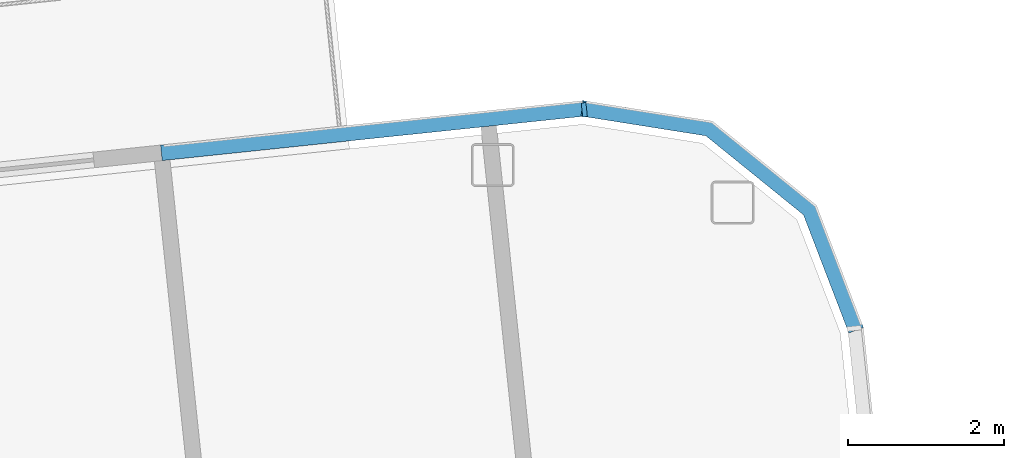
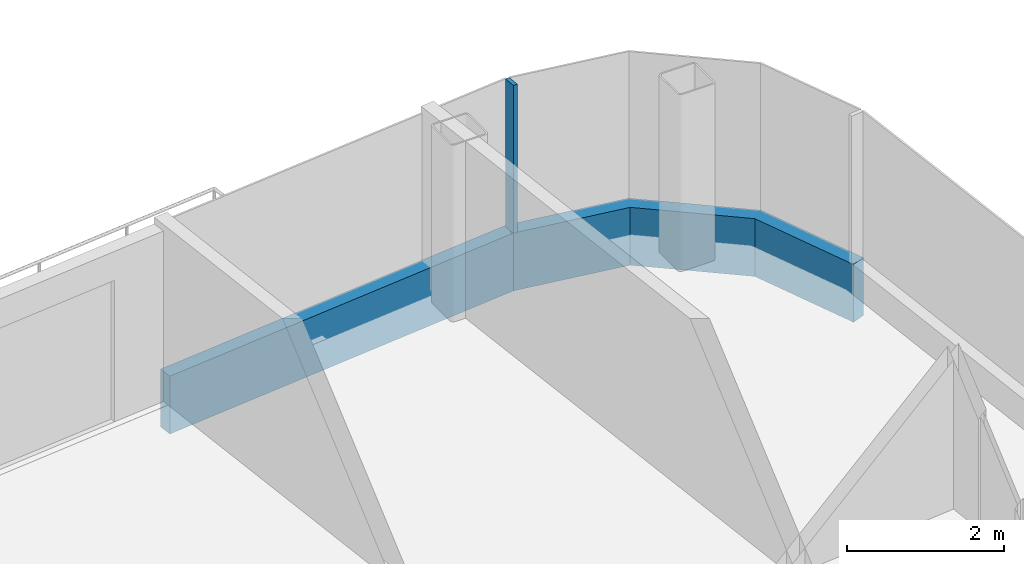
# One storey, part 10 of 29: 3 members, 2 elements without a shape of their own.
"""IFC4 building model written with IfcOpenShell, lengths in metres."""

from ifc_helpers import new_model, si_unit, direction, frame, origin, origin_2d, place, context, subcontext, project, spatial, polyline, rectangle, outline, extrude, material, layer, layer_set, material_profile, profile_set, type_object, element, aggregate, save


model = new_model("IFC4")

# Units and contexts
model_context = context("Model", 3, precision=1e-05, world=origin(), true_north=direction((0.0, 1.0)))
body_context = subcontext(model_context, "Body", "Model", "MODEL_VIEW")
ifc_project = project(units=[si_unit("LENGTHUNIT", "METRE"), si_unit("AREAUNIT", "SQUARE_METRE"), si_unit("VOLUMEUNIT", "CUBIC_METRE"), si_unit("PLANEANGLEUNIT", "RADIAN"), si_unit("MASSUNIT", "GRAM", prefix="KILO")], contexts=[model_context])

# Site, building, storey
site_placement = place(None, origin())
site = spatial("IfcSite", under=ifc_project, at=site_placement, CompositionType="ELEMENT")
building_placement = place(site_placement, origin())
building = spatial("IfcBuilding", under=site, at=building_placement, Name="Hakoniwa Tower and Hamabe Station Hall", CompositionType="ELEMENT")
storey_placement = place(building_placement, frame((0.0, 0.0, 258.199951171875)))
storey = spatial("IfcBuildingStorey", under=building, at=storey_placement, Name="L73", CompositionType="ELEMENT", Elevation=258.199951171875)

# Curtain wall, member
ifc_material_1 = material(Name="Dark low-e laminated glass", Category="glass")
ifc_layer = layer(ifc_material_1, 0.199951171875)
ifc_layer_set = layer_set([ifc_layer], Name="CW-1 UNITISED GUEST")
curtain_wall_type = type_object("IfcCurtainWallType", Name="CW-1 UNITISED GUEST", PredefinedType="NOTDEFINED", material=ifc_layer_set)
curtain_wall_1_placement = place(storey_placement, origin())
curtain_wall_1 = element("IfcCurtainWall", 1, at=curtain_wall_1_placement, inside=storey, type_object=curtain_wall_type, Name="CW-1 curtain wall", PredefinedType="NOTDEFINED")
ifc_material_2 = material(Name="Aluminium 6063-T5 black anodised", Category="aluminium")
ifc_material_profile_1 = material_profile(ifc_material_2, rectangle(XDim=0.199951171875, YDim=0.89990234375, at=origin_2d()), Name="CW SLAB-EDGE BAND 900X200")
ifc_profile_set_1 = profile_set([ifc_material_profile_1], Name="Aluminium 6063-T5 black anodised")
member_type_1 = type_object("IfcMemberType", Name="CW SLAB-EDGE BAND 900X200", PredefinedType="USERDEFINED", material=ifc_profile_set_1)
member_1_placement = place(storey_placement, frame((0.0, 0.0, -0.550048828125)))
member_1 = element("IfcMember", 2, at=member_1_placement, type_object=member_type_1, Name="CW-1 transom", ObjectType="TRANSOM", PredefinedType="USERDEFINED", context=body_context, shape_type="SweptSolid", body=[
    extrude(outline(polyline([(36.423828125, 20.445068359375), (35.82421875, 22.0068359375), (34.492431640625, 23.085205078125), (32.84033203125, 23.346923828125), (32.80908203125, 23.1494140625), (34.408203125, 22.89599609375), (35.65673828125, 21.885009765625), (36.237060546875, 20.37353515625), (36.423828125, 20.445068359375)])), origin(), (0.0, 0.0, 1.0), 0.900146484375),
])
aggregate(curtain_wall_1, [member_1])

# Curtain wall, members
curtain_wall_2_placement = place(storey_placement, origin())
curtain_wall_2 = element("IfcCurtainWall", 3, at=curtain_wall_2_placement, inside=storey, type_object=curtain_wall_type, Name="CW-1 curtain wall", PredefinedType="NOTDEFINED")
member_2_placement = place(storey_placement, frame((32.850830078125, 23.24755859375, -0.099853515625), z_axis=(-0.994521427115, -0.104532918303, 0.0), x_axis=(0.104532918303, -0.994521427115, 0.0)))
member_2 = element("IfcMember", 4, at=member_2_placement, type_object=member_type_1, Name="CW-1 transom", ObjectType="TRANSOM", PredefinedType="USERDEFINED", context=body_context, shape_type="SweptSolid", body=[
    extrude(rectangle(XDim=0.199951171875, YDim=0.89990234375, at=origin_2d()), origin(), (0.0, 0.0, 1.0), 5.439453125),
])
ifc_material_3 = material(Name="Aluminium 6063-T5 black anodised", Category="aluminium")
ifc_material_profile_2 = material_profile(ifc_material_3, rectangle(XDim=0.06005859375, YDim=0.179931640625, at=origin_2d()), Name="CW-1 MULLION 60X180")
ifc_profile_set_2 = profile_set([ifc_material_profile_2], Name="Aluminium 6063-T5 black anodised")
member_type_2 = type_object("IfcMemberType", Name="CW-1 MULLION 60X180", PredefinedType="MULLION", material=ifc_profile_set_2)
member_3_placement = place(storey_placement, frame((32.8525390625, 23.2294921875, 0.35009765625), z_axis=(0.0, 0.0, 1.0), x_axis=(-0.994521895272, -0.104528464188, 0.0)))
member_3 = element("IfcMember", 5, at=member_3_placement, type_object=member_type_2, Name="CW-1 mullion", PredefinedType="MULLION", context=body_context, shape_type="SweptSolid", body=[
    extrude(rectangle(XDim=0.06005859375, YDim=0.179931640625, at=origin_2d()), origin(), (0.0, 0.0, 1.0), 2.300048828125),
])
aggregate(curtain_wall_2, [member_3, member_2])

save(model, "model.ifc")
